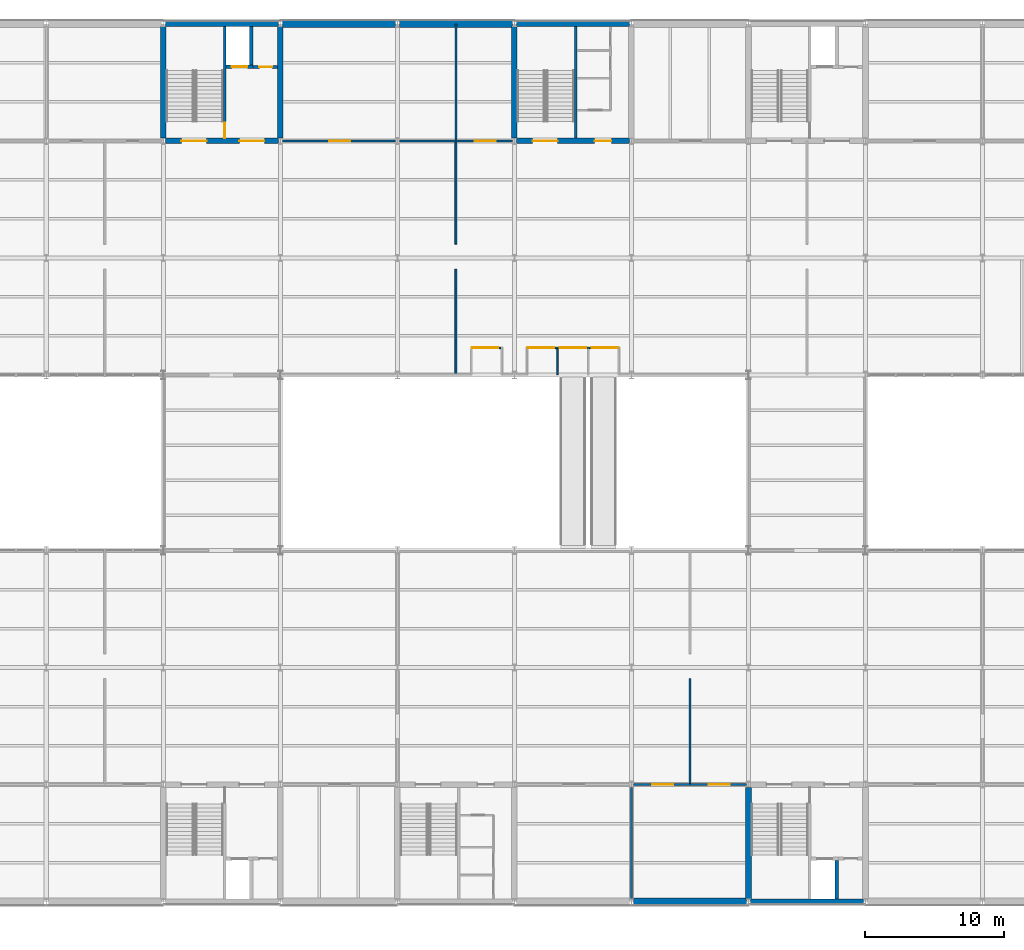
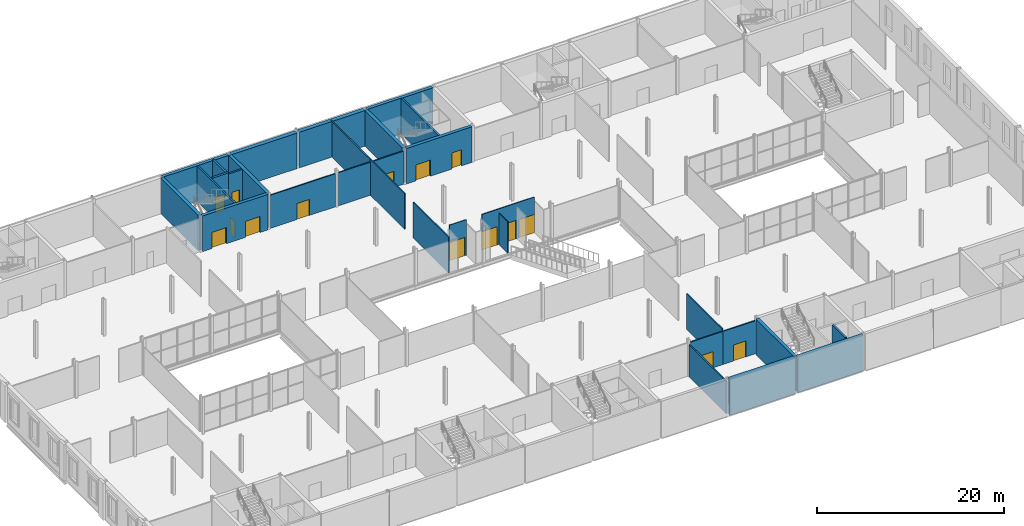
# One storey, part 31 of 52: 31 walls, 15 doors, 15 openings.
"""IFC4 building model written with IfcOpenShell, lengths in metres."""

from ifc_helpers import new_model, si_unit, direction, frame, frame_2d, origin, place, context, subcontext, project, spatial, rectangle, extrude, material, layer, layer_set, type_object, element, fill, save


model = new_model("IFC4")

# Units and contexts
model_context = context("Model", 3, precision=1e-05, world=origin(), true_north=direction((0.0, 1.0)))
body_context = subcontext(model_context, "Body", "Model", "MODEL_VIEW")
ifc_project = project(units=[si_unit("LENGTHUNIT", "METRE"), si_unit("AREAUNIT", "SQUARE_METRE"), si_unit("VOLUMEUNIT", "CUBIC_METRE"), si_unit("PLANEANGLEUNIT", "RADIAN"), si_unit("MASSUNIT", "GRAM", prefix="KILO")], contexts=[model_context])

# Site, building, storey
site_placement = place(None, origin())
site = spatial("IfcSite", under=ifc_project, at=site_placement, CompositionType="ELEMENT")
building_placement = place(site_placement, origin())
building = spatial("IfcBuilding", under=site, at=building_placement, Name="Galleria Vessillo Department Store", CompositionType="ELEMENT")
storey_placement = place(building_placement, frame((0.0, 0.0, 16.199951171875)))
storey = spatial("IfcBuildingStorey", under=building, at=storey_placement, Name="L03", CompositionType="ELEMENT", Elevation=16.199951171875)

# Wall
ifc_material_1 = material(Name="Fire-resisting glass in steel frame S355 J2", Category="steel")
ifc_layer_1 = layer(ifc_material_1, 0.10009765625)
ifc_layer_set_1 = layer_set([ifc_layer_1], Name="Fire-resisting glass in steel frame S355 J2")
wall_type_1 = type_object("IfcWallType", Name="Fire-resisting glazed screen EI 120-Sa 100 mm", PredefinedType="PARTITIONING", material=ifc_layer_set_1)
wall_1_placement = place(storey_placement, frame((61.900146484375, 37.800048828125, 0.0), z_axis=(0.0, 0.0, 1.0), x_axis=(0.0, 1.0, 0.0)))
element("IfcWall", 1, at=wall_1_placement, inside=storey, type_object=wall_type_1, Name="Fire screen, landing alcove side L03", PredefinedType="PARTITIONING", context=body_context, shape_type="SweptSolid", body=[
    extrude(rectangle(XDim=1.89990234375, YDim=0.10009765625, at=frame_2d((0.949951171875, 0.0))), origin(), (0.0, 0.0, 1.0), 4.110107421875),
])

# Wall, opening, door
wall_2_placement = place(storey_placement, frame((55.750244140625, 39.75, 0.0), z_axis=(0.0, 0.0, 1.0), x_axis=(1.0, 0.0, 0.0)))
wall_2 = element("IfcWall", 2, at=wall_2_placement, inside=storey, type_object=wall_type_1, Name="Fire screen, landing alcove back wall L03", PredefinedType="PARTITIONING", context=body_context, shape_type="SweptSolid", body=[
    extrude(rectangle(XDim=2.099609375, YDim=0.10009765625, at=frame_2d((1.0498046875, 0.0))), origin(), (0.0, 0.0, 1.0), 4.650146484375),
])
opening_1_placement = place(wall_2_placement, origin())
opening_1 = element("IfcOpeningElement", 3, at=opening_1_placement, cuts=wall_2, Name="Opening D5359", PredefinedType="OPENING", context=body_context, shape_type="SweptSolid", body=[
    extrude(rectangle(XDim=1.90990234375, YDim=2.39990234375, at=frame_2d((0.945068359375, 1.199951171875))), frame((0.0, 0.06005859375, 0.0), z_axis=(0.0, -1.0, 0.0), x_axis=(1.0, 0.0, 0.0)), (0.0, 0.0, 1.0), 0.1201171875),
])
ifc_material_2 = material(Name="Fire-resisting glazed door leaf in steel frame S355 J2", Category="steel")
door_type_1 = type_object("IfcDoorType", Name="Fire sliding door EI2 120-Sa 1900 x 2400 mm", OperationType="DOUBLE_DOOR_SLIDING", PredefinedType="DOOR", material=ifc_material_2)
door_1_placement = place(opening_1_placement, origin())
door_1 = element("IfcDoor", 4, at=door_1_placement, inside=storey, type_object=door_type_1, Name="Fire sliding door, escalator landing L03-01", OperationType="DOUBLE_DOOR_SLIDING", OverallHeight=2.39990234375, OverallWidth=1.89990234375, PredefinedType="DOOR", context=body_context, shape_type="SweptSolid", body=[
    extrude(rectangle(XDim=1.89990234375, YDim=2.39990234375, at=frame_2d((0.949951171875, 1.199951171875))), frame((0.0, 0.02490234375, 0.0), z_axis=(0.0, -1.0, 0.0), x_axis=(1.0, 0.0, 0.0)), (0.0, 0.0, 1.0), 0.050048828125),
])
fill(opening_1, door_1)

# Wall, openings, doors
wall_3_placement = place(storey_placement, frame((59.750244140625, 39.75, 0.0), z_axis=(0.0, 0.0, 1.0), x_axis=(1.0, 0.0, 0.0)))
wall_3 = element("IfcWall", 5, at=wall_3_placement, inside=storey, type_object=wall_type_1, Name="Fire screen, landing alcove back wall L03", PredefinedType="PARTITIONING", context=body_context, shape_type="SweptSolid", body=[
    extrude(rectangle(XDim=6.49951171875, YDim=0.10009765625, at=frame_2d((3.249755859375, 0.0))), origin(), (0.0, 0.0, 1.0), 4.650146484375),
])
opening_2_placement = place(wall_3_placement, origin())
opening_2 = element("IfcOpeningElement", 6, at=opening_2_placement, cuts=wall_3, Name="Opening D5360", PredefinedType="OPENING", context=body_context, shape_type="SweptSolid", body=[
    extrude(rectangle(XDim=1.90990234375, YDim=2.39990234375, at=frame_2d((0.945068359375, 1.199951171875))), frame((0.0, 0.06005859375, 0.0), z_axis=(0.0, -1.0, 0.0), x_axis=(1.0, 0.0, 0.0)), (0.0, 0.0, 1.0), 0.1201171875),
])
opening_3_placement = place(wall_3_placement, frame((2.2998046875, 0.0, 0.0)))
opening_3 = element("IfcOpeningElement", 7, at=opening_3_placement, cuts=wall_3, Name="Opening D5361", PredefinedType="OPENING", context=body_context, shape_type="SweptSolid", body=[
    extrude(rectangle(XDim=1.89990234375, YDim=2.39990234375, at=frame_2d((0.949951171875, 1.199951171875))), frame((0.0, 0.06005859375, 0.0), z_axis=(0.0, -1.0, 0.0), x_axis=(1.0, 0.0, 0.0)), (0.0, 0.0, 1.0), 0.1201171875),
])
opening_4_placement = place(wall_3_placement, frame((4.599609375, 0.0, 0.0)))
opening_4 = element("IfcOpeningElement", 8, at=opening_4_placement, cuts=wall_3, Name="Opening D5362", PredefinedType="OPENING", context=body_context, shape_type="SweptSolid", body=[
    extrude(rectangle(XDim=1.90990234375, YDim=2.39990234375, at=frame_2d((0.954833984375, 1.199951171875))), frame((0.0, 0.06005859375, 0.0), z_axis=(0.0, -1.0, 0.0), x_axis=(1.0, 0.0, 0.0)), (0.0, 0.0, 1.0), 0.1201171875),
])
door_2_placement = place(opening_2_placement, origin())
door_2 = element("IfcDoor", 9, at=door_2_placement, inside=storey, type_object=door_type_1, Name="Fire sliding door, escalator landing L03-02", OperationType="DOUBLE_DOOR_SLIDING", OverallHeight=2.39990234375, OverallWidth=1.89990234375, PredefinedType="DOOR", context=body_context, shape_type="SweptSolid", body=[
    extrude(rectangle(XDim=1.89990234375, YDim=2.39990234375, at=frame_2d((0.949951171875, 1.199951171875))), frame((0.0, 0.02490234375, 0.0), z_axis=(0.0, -1.0, 0.0), x_axis=(1.0, 0.0, 0.0)), (0.0, 0.0, 1.0), 0.050048828125),
])
fill(opening_2, door_2)
door_3_placement = place(opening_3_placement, origin())
door_3 = element("IfcDoor", 10, at=door_3_placement, inside=storey, type_object=door_type_1, Name="Fire sliding door, escalator landing L03-03", OperationType="DOUBLE_DOOR_SLIDING", OverallHeight=2.39990234375, OverallWidth=1.89990234375, PredefinedType="DOOR", context=body_context, shape_type="SweptSolid", body=[
    extrude(rectangle(XDim=1.89990234375, YDim=2.39990234375, at=frame_2d((0.949951171875, 1.199951171875))), frame((0.0, 0.02490234375, 0.0), z_axis=(0.0, -1.0, 0.0), x_axis=(1.0, 0.0, 0.0)), (0.0, 0.0, 1.0), 0.050048828125),
])
fill(opening_3, door_3)
door_4_placement = place(opening_4_placement, origin())
door_4 = element("IfcDoor", 11, at=door_4_placement, inside=storey, type_object=door_type_1, Name="Fire sliding door, escalator landing L03-04", OperationType="DOUBLE_DOOR_SLIDING", OverallHeight=2.39990234375, OverallWidth=1.89990234375, PredefinedType="DOOR", context=body_context, shape_type="SweptSolid", body=[
    extrude(rectangle(XDim=1.89990234375, YDim=2.39990234375, at=frame_2d((0.949951171875, 1.199951171875))), frame((0.0, 0.02490234375, 0.0), z_axis=(0.0, -1.0, 0.0), x_axis=(1.0, 0.0, 0.0)), (0.0, 0.0, 1.0), 0.050048828125),
])
fill(opening_4, door_4)

# Wall, opening, door
ifc_material_3 = material(Name="Solid clay block masonry", Category="masonry")
ifc_layer_2 = layer(ifc_material_3, 0.25)
ifc_layer_set_2 = layer_set([ifc_layer_2], Name="Solid clay block masonry")
wall_type_2 = type_object("IfcWallType", Name="Lift shaft wall 250 mm", PredefinedType="SOLIDWALL", material=ifc_layer_set_2)
wall_4_placement = place(storey_placement, frame((38.10009765625, 59.925048828125, 0.0), z_axis=(0.0, 0.0, 1.0), x_axis=(1.0, 0.0, 0.0)))
wall_4 = element("IfcWall", 12, at=wall_4_placement, inside=storey, type_object=wall_type_2, Name="Lift shaft wall LP4 landing side L03", PredefinedType="SOLIDWALL", context=body_context, shape_type="SweptSolid", body=[
    extrude(rectangle(XDim=1.949951171875, YDim=0.25, at=frame_2d((0.97509765625, 0.0))), origin(), (0.0, 0.0, 1.0), 4.800048828125),
])
opening_5_placement = place(wall_4_placement, frame((0.4248046875, 0.0, 0.0)))
opening_5 = element("IfcOpeningElement", 13, at=opening_5_placement, cuts=wall_4, Name="Opening LD030", PredefinedType="OPENING", context=body_context, shape_type="SweptSolid", body=[
    extrude(rectangle(XDim=1.10009765625, YDim=2.10009765625, at=frame_2d((0.550048828125, 1.050048828125))), frame((0.0, 0.135009765625, 0.0), z_axis=(0.0, -1.0, 0.0), x_axis=(1.0, 0.0, 0.0)), (0.0, 0.0, 1.0), 0.27001953125),
])
ifc_material_4 = material(Name="Stainless steel lift door panel", Category="steel")
door_type_2 = type_object("IfcDoorType", Name="Lift landing door LD110 sliding 1100 x 2100", OperationType="SLIDING_TO_LEFT", PredefinedType="DOOR", material=ifc_material_4)
door_5_placement = place(opening_5_placement, frame((1.10009765625, 0.0, 0.0), z_axis=(0.0, 0.0, 1.0), x_axis=(-1.0, 0.0, 0.0)))
door_5 = element("IfcDoor", 14, at=door_5_placement, inside=storey, type_object=door_type_2, Name="Lift landing door LP4 L03", OperationType="SLIDING_TO_RIGHT", OverallHeight=2.10009765625, OverallWidth=1.10009765625, PredefinedType="DOOR", context=body_context, shape_type="SweptSolid", body=[
    extrude(rectangle(XDim=1.10009765625, YDim=2.10009765625, at=frame_2d((0.550048828125, 1.050048828125))), frame((0.0, 0.02490234375, 0.0), z_axis=(0.0, -1.0, 0.0), x_axis=(1.0, 0.0, 0.0)), (0.0, 0.0, 1.0), 0.050048828125),
])
fill(opening_5, door_5)

# Walls
for number, where, z_axis, x_axis, name in (
    (15, (39.925048828125, 62.800048828125, 0.0), (0.0, 0.0, 1.0), (0.0, -1.0, 0.0), "Lift shaft wall LP4 L03"),
    (16, (81.925048828125, 0.199951171875, 0.0), (0.0, 0.0, 1.0), (0.0, 1.0, 0.0), "Lift shaft wall LP5 L03"),
):
    element("IfcWall", number, at=place(storey_placement, frame(where, z_axis=z_axis, x_axis=x_axis)), inside=storey, type_object=wall_type_2, Name=name, PredefinedType="SOLIDWALL", context=body_context, shape_type="SweptSolid", body=[
        extrude(rectangle(XDim=2.75, YDim=0.25, at=frame_2d((1.375, 0.0))), origin(), (0.0, 0.0, 1.0), 4.800048828125),
    ])

# Wall, openings, doors
ifc_material_5 = material(Name="Concrete C32/40 reinforced", Category="concrete")
ifc_layer_3 = layer(ifc_material_5, 0.39990234375)
ifc_layer_set_3 = layer_set([ifc_layer_3], Name="Concrete C32/40 reinforced")
wall_type_3 = type_object("IfcWallType", Name="Reinforced concrete core wall 400 mm", PredefinedType="SHEAR", material=ifc_layer_set_3)
wall_5_placement = place(storey_placement, frame((33.75, 54.60009765625, 0.0), z_axis=(0.0, 0.0, 1.0), x_axis=(1.0, 0.0, 0.0)))
wall_5 = element("IfcWall", 17, at=wall_5_placement, inside=storey, type_object=wall_type_3, Name="S-CW-PC-NM-INTERIOR-L03", PredefinedType="SHEAR", context=body_context, shape_type="SweptSolid", body=[
    extrude(rectangle(XDim=8.10009765625, YDim=0.39990234375, at=frame_2d((4.050048828125, 0.0))), origin(), (0.0, 0.0, 1.0), 4.650146484375),
])
opening_6_placement = place(wall_5_placement, frame((1.14990234375, 0.0, 0.0)))
opening_6 = element("IfcOpeningElement", 18, at=opening_6_placement, cuts=wall_5, Name="Opening D5117", PredefinedType="OPENING", context=body_context, shape_type="SweptSolid", body=[
    extrude(rectangle(XDim=1.800048828125, YDim=2.10009765625, at=frame_2d((0.89990234375, 1.050048828125))), frame((0.0, 0.2099609375, 0.0), z_axis=(0.0, -1.0, 0.0), x_axis=(1.0, 0.0, 0.0)), (0.0, 0.0, 1.0), 0.419921875),
])
opening_7_placement = place(wall_5_placement, frame((5.2998046875, 0.0, 0.0)))
opening_7 = element("IfcOpeningElement", 19, at=opening_7_placement, cuts=wall_5, Name="Opening D5118", PredefinedType="OPENING", context=body_context, shape_type="SweptSolid", body=[
    extrude(rectangle(XDim=1.800048828125, YDim=2.10009765625, at=frame_2d((0.89990234375, 1.050048828125))), frame((0.0, 0.2099609375, 0.0), z_axis=(0.0, -1.0, 0.0), x_axis=(1.0, 0.0, 0.0)), (0.0, 0.0, 1.0), 0.419921875),
])
ifc_material_6 = material(Name="Fire-rated steel door leaf", Category="steel")
door_type_3 = type_object("IfcDoorType", Name="Door D180F double leaf 1800 x 2100", OperationType="DOUBLE_DOOR_SINGLE_SWING", PredefinedType="DOOR", material=ifc_material_6)
door_6_placement = place(opening_6_placement, origin())
door_6 = element("IfcDoor", 20, at=door_6_placement, inside=storey, type_object=door_type_3, Name="Lobby door PC-NM-ST-FLOOR L03", OperationType="DOUBLE_DOOR_SINGLE_SWING", OverallHeight=2.10009765625, OverallWidth=1.800048828125, PredefinedType="DOOR", context=body_context, shape_type="SweptSolid", body=[
    extrude(rectangle(XDim=1.800048828125, YDim=2.10009765625, at=frame_2d((0.89990234375, 1.050048828125))), frame((0.0, 0.02490234375, 0.0), z_axis=(0.0, -1.0, 0.0), x_axis=(1.0, 0.0, 0.0)), (0.0, 0.0, 1.0), 0.050048828125),
])
fill(opening_6, door_6)
door_7_placement = place(opening_7_placement, origin())
door_7 = element("IfcDoor", 21, at=door_7_placement, inside=storey, type_object=door_type_3, Name="Lobby door PC-NM-LOBBY-FLOOR L03", OperationType="DOUBLE_DOOR_SINGLE_SWING", OverallHeight=2.10009765625, OverallWidth=1.800048828125, PredefinedType="DOOR", context=body_context, shape_type="SweptSolid", body=[
    extrude(rectangle(XDim=1.800048828125, YDim=2.10009765625, at=frame_2d((0.89990234375, 1.050048828125))), frame((0.0, 0.02490234375, 0.0), z_axis=(0.0, -1.0, 0.0), x_axis=(1.0, 0.0, 0.0)), (0.0, 0.0, 1.0), 0.050048828125),
])
fill(opening_7, door_7)

# Walls
for number, where, z_axis, x_axis, name in (
    (22, (33.60009765625, 54.800048828125, 0.0), (0.0, 0.0, 1.0), (0.0, 1.0, 0.0), "S-CW-PC-NM-WEST-L03"),
    (23, (42.0, 54.800048828125, 0.0), (0.0, 0.0, 1.0), (0.0, 1.0, 0.0), "S-CW-PC-NM-EAST-L03"),
    (24, (75.60009765625, 0.199951171875, 0.0), (0.0, 0.0, 1.0), (0.0, 1.0, 0.0), "S-CW-PC-SE-WEST-L03"),
):
    element("IfcWall", number, at=place(storey_placement, frame(where, z_axis=z_axis, x_axis=x_axis)), inside=storey, type_object=wall_type_3, Name=name, PredefinedType="SHEAR", context=body_context, shape_type="SweptSolid", body=[
        extrude(rectangle(XDim=8.0, YDim=0.39990234375, at=frame_2d((4.0, 0.0))), origin(), (0.0, 0.0, 1.0), 4.650146484375),
    ])

# Wall, openings, doors
wall_6_placement = place(storey_placement, frame((58.949951171875, 54.60009765625, 0.0), z_axis=(0.0, 0.0, 1.0), x_axis=(1.0, 0.0, 0.0)))
wall_6 = element("IfcWall", 25, at=wall_6_placement, inside=storey, type_object=wall_type_3, Name="S-CW-PC-NC-INTERIOR-L03", PredefinedType="SHEAR", context=body_context, shape_type="SweptSolid", body=[
    extrude(rectangle(XDim=8.10009765625, YDim=0.39990234375, at=frame_2d((4.050048828125, 0.0))), origin(), (0.0, 0.0, 1.0), 4.650146484375),
])
opening_8_placement = place(wall_6_placement, frame((1.14990234375, 0.0, 0.0)))
opening_8 = element("IfcOpeningElement", 26, at=opening_8_placement, cuts=wall_6, Name="Opening D5213", PredefinedType="OPENING", context=body_context, shape_type="SweptSolid", body=[
    extrude(rectangle(XDim=1.800048828125, YDim=2.10009765625, at=frame_2d((0.89990234375, 1.050048828125))), frame((0.0, 0.2099609375, 0.0), z_axis=(0.0, -1.0, 0.0), x_axis=(1.0, 0.0, 0.0)), (0.0, 0.0, 1.0), 0.419921875),
])
opening_9_placement = place(wall_6_placement, frame((5.599853515625, 0.0, 0.0)))
opening_9 = element("IfcOpeningElement", 27, at=opening_9_placement, cuts=wall_6, Name="Opening D5214", PredefinedType="OPENING", context=body_context, shape_type="SweptSolid", body=[
    extrude(rectangle(XDim=1.199951171875, YDim=2.10009765625, at=frame_2d((0.60009765625, 1.050048828125))), frame((0.0, 0.2099609375, 0.0), z_axis=(0.0, -1.0, 0.0), x_axis=(1.0, 0.0, 0.0)), (0.0, 0.0, 1.0), 0.419921875),
])
ifc_material_7 = material(Name="Fire-rated steel door leaf", Category="steel")
door_type_4 = type_object("IfcDoorType", Name="Door D120F fire door 1200 x 2100", OperationType="SINGLE_SWING_LEFT", PredefinedType="DOOR", material=ifc_material_7)
door_8_placement = place(opening_9_placement, origin())
door_8 = element("IfcDoor", 28, at=door_8_placement, inside=storey, type_object=door_type_4, Name="Lobby door PC-NC-WC-FLOOR L03", OperationType="SINGLE_SWING_LEFT", OverallHeight=2.10009765625, OverallWidth=1.199951171875, PredefinedType="DOOR", context=body_context, shape_type="SweptSolid", body=[
    extrude(rectangle(XDim=1.199951171875, YDim=2.10009765625, at=frame_2d((0.60009765625, 1.050048828125))), frame((0.0, 0.02490234375, 0.0), z_axis=(0.0, -1.0, 0.0), x_axis=(1.0, 0.0, 0.0)), (0.0, 0.0, 1.0), 0.050048828125),
])
fill(opening_9, door_8)
door_9_placement = place(opening_8_placement, origin())
door_9 = element("IfcDoor", 29, at=door_9_placement, inside=storey, type_object=door_type_3, Name="Lobby door PC-NC-ST-FLOOR L03", OperationType="DOUBLE_DOOR_SINGLE_SWING", OverallHeight=2.10009765625, OverallWidth=1.800048828125, PredefinedType="DOOR", context=body_context, shape_type="SweptSolid", body=[
    extrude(rectangle(XDim=1.800048828125, YDim=2.10009765625, at=frame_2d((0.89990234375, 1.050048828125))), frame((0.0, 0.02490234375, 0.0), z_axis=(0.0, -1.0, 0.0), x_axis=(1.0, 0.0, 0.0)), (0.0, 0.0, 1.0), 0.050048828125),
])
fill(opening_8, door_9)

# Walls
wall_7_placement = place(storey_placement, frame((58.800048828125, 54.800048828125, 0.0), z_axis=(0.0, 0.0, 1.0), x_axis=(0.0, 1.0, 0.0)))
element("IfcWall", 30, at=wall_7_placement, inside=storey, type_object=wall_type_3, Name="S-CW-PC-NC-WEST-L03", PredefinedType="SHEAR", context=body_context, shape_type="SweptSolid", body=[
    extrude(rectangle(XDim=8.0, YDim=0.39990234375, at=frame_2d((4.0, 0.0))), origin(), (0.0, 0.0, 1.0), 4.650146484375),
])
ifc_material_8 = material(Name="Concrete C32/40 reinforced", Category="concrete")
ifc_layer_4 = layer(ifc_material_8, 0.39990234375)
ifc_layer_set_4 = layer_set([ifc_layer_4], Name="Concrete C32/40 reinforced")
wall_type_4 = type_object("IfcWallType", Name="Reinforced concrete core wall 400 mm, external", PredefinedType="SHEAR", material=ifc_layer_set_4)
for number, where, z_axis, x_axis, name in (
    (31, (33.75, 63.0, 0.0), (0.0, 0.0, 1.0), (1.0, 0.0, 0.0), "S-CW-PC-NM-PARTY-L03"),
    (32, (75.75, 0.0, 0.0), (0.0, 0.0, 1.0), (1.0, 0.0, 0.0), "S-CW-PC-SE-PARTY-L03"),
    (33, (58.949951171875, 63.0, 0.0), (0.0, 0.0, 1.0), (1.0, 0.0, 0.0), "S-CW-PC-NC-PARTY-L03"),
):
    element("IfcWall", number, at=place(storey_placement, frame(where, z_axis=z_axis, x_axis=x_axis)), inside=storey, type_object=wall_type_4, Name=name, PredefinedType="SHEAR", context=body_context, shape_type="SweptSolid", body=[
        extrude(rectangle(XDim=8.10009765625, YDim=0.39990234375, at=frame_2d((4.050048828125, 0.0))), origin(), (0.0, 0.0, 1.0), 4.650146484375),
    ])
ifc_material_9 = material(Name="Concrete C32/40 reinforced", Category="concrete")
ifc_layer_5 = layer(ifc_material_9, 0.5)
ifc_layer_set_5 = layer_set([ifc_layer_5], Name="Concrete C32/40 reinforced")
wall_type_5 = type_object("IfcWallType", Name="Reinforced concrete party wall 500 mm", PredefinedType="SHEAR", material=ifc_layer_set_5)
wall_8_placement = place(storey_placement, frame((67.349853515625, 0.0, 0.0), z_axis=(0.0, 0.0, 1.0), x_axis=(1.0, 0.0, 0.0)))
element("IfcWall", 34, at=wall_8_placement, inside=storey, type_object=wall_type_5, Name="S-PS-L03-06", PredefinedType="SHEAR", context=body_context, shape_type="SweptSolid", body=[
    extrude(rectangle(XDim=8.100341796875, YDim=0.5, at=frame_2d((4.05029296875, 0.0))), origin(), (0.0, 0.0, 1.0), 4.650146484375),
])
wall_9_placement = place(storey_placement, frame((42.14990234375, 63.0, 0.0), z_axis=(0.0, 0.0, 1.0), x_axis=(1.0, 0.0, 0.0)))
element("IfcWall", 35, at=wall_9_placement, inside=storey, type_object=wall_type_5, Name="S-PN-L03-04", PredefinedType="SHEAR", context=body_context, shape_type="SweptSolid", body=[
    extrude(rectangle(XDim=8.10009765625, YDim=0.5, at=frame_2d((4.050048828125, 0.0))), origin(), (0.0, 0.0, 1.0), 4.650146484375),
])
wall_10_placement = place(storey_placement, frame((50.5498046875, 63.0, 0.0), z_axis=(0.0, 0.0, 1.0), x_axis=(1.0, 0.0, 0.0)))
element("IfcWall", 36, at=wall_10_placement, inside=storey, type_object=wall_type_5, Name="S-PN-L03-05", PredefinedType="SHEAR", context=body_context, shape_type="SweptSolid", body=[
    extrude(rectangle(XDim=8.100341796875, YDim=0.5, at=frame_2d((4.05029296875, 0.0))), origin(), (0.0, 0.0, 1.0), 4.650146484375),
])

# Wall, opening, door
ifc_material_10 = material(Name="Concrete C32/40 reinforced", Category="concrete")
ifc_layer_6 = layer(ifc_material_10, 0.199951171875)
ifc_layer_set_6 = layer_set([ifc_layer_6], Name="Concrete C32/40 reinforced")
wall_type_6 = type_object("IfcWallType", Name="Reinforced concrete stair enclosure wall 200 mm", PredefinedType="SHEAR", material=ifc_layer_set_6)
wall_11_placement = place(storey_placement, frame((38.0, 62.800048828125, 0.0), z_axis=(0.0, 0.0, 1.0), x_axis=(0.0, -1.0, 0.0)))
wall_11 = element("IfcWall", 37, at=wall_11_placement, inside=storey, type_object=wall_type_6, Name="Stair enclosure wall PC-NM L03", PredefinedType="SHEAR", context=body_context, shape_type="SweptSolid", body=[
    extrude(rectangle(XDim=8.0, YDim=0.199951171875, at=frame_2d((4.0, 0.0))), origin(), (0.0, 0.0, 1.0), 4.650146484375),
])
opening_10_placement = place(wall_11_placement, frame((6.89990234375, 0.0, 0.0)))
opening_10 = element("IfcOpeningElement", 38, at=opening_10_placement, cuts=wall_11, Name="Opening D5115", PredefinedType="OPENING", context=body_context, shape_type="SweptSolid", body=[
    extrude(rectangle(XDim=1.11009765625, YDim=2.10009765625, at=frame_2d((0.554931640625, 1.050048828125))), frame((0.0, 0.10986328125, 0.0), z_axis=(0.0, -1.0, 0.0), x_axis=(1.0, 0.0, 0.0)), (0.0, 0.0, 1.0), 0.219970703125),
])
ifc_material_11 = material(Name="Fire-rated steel door leaf", Category="steel")
door_type_5 = type_object("IfcDoorType", Name="Door D110F stair door 1100 x 2100", OperationType="SINGLE_SWING_LEFT", PredefinedType="DOOR", material=ifc_material_11)
door_10_placement = place(opening_10_placement, frame((1.10009765625, 0.0, 0.0), z_axis=(0.0, 0.0, 1.0), x_axis=(-1.0, 0.0, 0.0)))
door_10 = element("IfcDoor", 39, at=door_10_placement, inside=storey, type_object=door_type_5, Name="Stair door PC-NM-ST-LOBBY L03", OperationType="SINGLE_SWING_LEFT", OverallHeight=2.10009765625, OverallWidth=1.10009765625, PredefinedType="DOOR", context=body_context, shape_type="SweptSolid", body=[
    extrude(rectangle(XDim=1.10009765625, YDim=2.10009765625, at=frame_2d((0.550048828125, 1.050048828125))), frame((0.0, 0.02490234375, 0.0), z_axis=(0.0, -1.0, 0.0), x_axis=(1.0, 0.0, 0.0)), (0.0, 0.0, 1.0), 0.050048828125),
])
fill(opening_10, door_10)

# Wall
wall_12_placement = place(storey_placement, frame((63.199951171875, 62.800048828125, 0.0), z_axis=(0.0, 0.0, 1.0), x_axis=(0.0, -1.0, 0.0)))
element("IfcWall", 40, at=wall_12_placement, inside=storey, type_object=wall_type_6, Name="Stair enclosure wall PC-NC L03", PredefinedType="SHEAR", context=body_context, shape_type="SweptSolid", body=[
    extrude(rectangle(XDim=8.0, YDim=0.199951171875, at=frame_2d((4.0, 0.0))), origin(), (0.0, 0.0, 1.0), 4.650146484375),
])

# Wall, opening, door
ifc_material_12 = material(Name="Hollow clay block masonry", Category="masonry")
ifc_layer_7 = layer(ifc_material_12, 0.199951171875)
ifc_layer_set_7 = layer_set([ifc_layer_7], Name="Hollow clay block masonry")
wall_type_7 = type_object("IfcWallType", Name="Riser and service room wall 200 mm", PredefinedType="PARTITIONING", material=ifc_layer_set_7)
wall_13_placement = place(storey_placement, frame((40.050048828125, 59.900146484375, 0.0), z_axis=(0.0, 0.0, 1.0), x_axis=(1.0, 0.0, 0.0)))
wall_13 = element("IfcWall", 41, at=wall_13_placement, inside=storey, type_object=wall_type_7, Name="Riser wall PC-NM-RISER L03", PredefinedType="PARTITIONING", context=body_context, shape_type="SweptSolid", body=[
    extrude(rectangle(XDim=1.75, YDim=0.199951171875, at=frame_2d((0.875, 0.0))), origin(), (0.0, 0.0, 1.0), 4.650146484375),
])
opening_11_placement = place(wall_13_placement, frame((0.449951171875, 0.0, 0.0)))
opening_11 = element("IfcOpeningElement", 42, at=opening_11_placement, cuts=wall_13, Name="Opening D5116", PredefinedType="OPENING", context=body_context, shape_type="SweptSolid", body=[
    extrude(rectangle(XDim=0.89990234375, YDim=2.10009765625, at=frame_2d((0.449951171875, 1.050048828125))), frame((0.0, 0.10986328125, 0.0), z_axis=(0.0, -1.0, 0.0), x_axis=(1.0, 0.0, 0.0)), (0.0, 0.0, 1.0), 0.219970703125),
])
ifc_material_13 = material(Name="Fire-rated steel door leaf", Category="steel")
door_type_6 = type_object("IfcDoorType", Name="Door DR90 riser access 900 x 2100", OperationType="SINGLE_SWING_LEFT", PredefinedType="DOOR", material=ifc_material_13)
door_11_placement = place(opening_11_placement, origin())
door_11 = element("IfcDoor", 43, at=door_11_placement, inside=storey, type_object=door_type_6, Name="Riser door PC-NM-RISER-D L03", OperationType="SINGLE_SWING_RIGHT", OverallHeight=2.10009765625, OverallWidth=0.89990234375, PredefinedType="DOOR", context=body_context, shape_type="SweptSolid", body=[
    extrude(rectangle(XDim=0.89990234375, YDim=2.10009765625, at=frame_2d((0.449951171875, 1.050048828125))), frame((0.0, 0.02490234375, 0.0), z_axis=(0.0, -1.0, 0.0), x_axis=(1.0, 0.0, 0.0)), (0.0, 0.0, 1.0), 0.050048828125),
])
fill(opening_11, door_11)

# Walls
ifc_material_14 = material(Name="Gypsum board partition")
ifc_layer_8 = layer(ifc_material_14, 0.139892578125)
ifc_layer_set_8 = layer_set([ifc_layer_8], Name="Gypsum board partition")
wall_type_8 = type_object("IfcWallType", Name="Sales dividing wall 140 mm", PredefinedType="PARTITIONING", material=ifc_layer_set_8)
for number, where, z_axis, x_axis, name in (
    (44, (71.39990234375, 8.39990234375, 0.0), (0.0, 0.0, 1.0), (0.0, 1.0, 0.0), "Partition wall PT3 on L03 no. 049"),
    (45, (54.60009765625, 37.800048828125, 0.0), (0.0, 0.0, 1.0), (0.0, 1.0, 0.0), "Partition wall PT3 on L03 no. 066"),
):
    element("IfcWall", number, at=place(storey_placement, frame(where, z_axis=z_axis, x_axis=x_axis)), inside=storey, type_object=wall_type_8, Name=name, PredefinedType="PARTITIONING", context=body_context, shape_type="SweptSolid", body=[
        extrude(rectangle(XDim=7.60009765625, YDim=0.139892578125, at=frame_2d((3.800048828125, 0.0))), origin(), (0.0, 0.0, 1.0), 4.650146484375),
    ])
wall_14_placement = place(storey_placement, frame((54.60009765625, 47.199951171875, 0.0), z_axis=(0.0, 0.0, 1.0), x_axis=(0.0, 1.0, 0.0)))
element("IfcWall", 46, at=wall_14_placement, inside=storey, type_object=wall_type_8, Name="Partition wall PT3 on L03 no. 067", PredefinedType="PARTITIONING", context=body_context, shape_type="SweptSolid", body=[
    extrude(rectangle(XDim=7.400146484375, YDim=0.139892578125, at=frame_2d((3.7001953125, 0.0))), origin(), (0.0, 0.0, 1.0), 4.650146484375),
])
ifc_material_15 = material(Name="Concrete blockwork", Category="masonry")
ifc_layer_9 = layer(ifc_material_15, 0.14990234375)
ifc_layer_set_9 = layer_set([ifc_layer_9], Name="Concrete blockwork")
wall_type_9 = type_object("IfcWallType", Name="Stockroom blockwork wall 150 mm", PredefinedType="SOLIDWALL", material=ifc_layer_set_9)
wall_15_placement = place(storey_placement, frame((67.199951171875, 0.199951171875, 0.0), z_axis=(0.0, 0.0, 1.0), x_axis=(0.0, 1.0, 0.0)))
element("IfcWall", 47, at=wall_15_placement, inside=storey, type_object=wall_type_9, Name="Partition wall PT4 on L03 no. 017", PredefinedType="SOLIDWALL", context=body_context, shape_type="SweptSolid", body=[
    extrude(rectangle(XDim=8.0, YDim=0.14990234375, at=frame_2d((4.0, 0.0))), origin(), (0.0, 0.0, 1.0), 4.210205078125),
])

# Wall, opening, door
wall_16_placement = place(storey_placement, frame((67.349853515625, 8.39990234375, 0.0), z_axis=(0.0, 0.0, 1.0), x_axis=(1.0, 0.0, 0.0)))
wall_16 = element("IfcWall", 48, at=wall_16_placement, inside=storey, type_object=wall_type_9, Name="Partition wall PT4 on L03 no. 019", PredefinedType="SOLIDWALL", context=body_context, shape_type="SweptSolid", body=[
    extrude(rectangle(XDim=4.050048828125, YDim=0.14990234375, at=frame_2d((2.02490234375, 0.0))), origin(), (0.0, 0.0, 1.0), 4.320068359375),
])
opening_12_placement = place(wall_16_placement, frame((1.35009765625, 0.0, 0.0)))
opening_12 = element("IfcOpeningElement", 49, at=opening_12_placement, cuts=wall_16, Name="Opening D2511", PredefinedType="OPENING", context=body_context, shape_type="SweptSolid", body=[
    extrude(rectangle(XDim=1.5, YDim=2.10009765625, at=frame_2d((0.75, 1.050048828125))), frame((0.0, 0.0849609375, 0.0), z_axis=(0.0, -1.0, 0.0), x_axis=(1.0, 0.0, 0.0)), (0.0, 0.0, 1.0), 0.169921875),
])
ifc_material_16 = material(Name="Steel fire door leaf", Category="steel")
door_type_7 = type_object("IfcDoorType", Name="Stockroom fire door 1500 double leaf", OperationType="DOUBLE_DOOR_SINGLE_SWING", PredefinedType="DOOR", material=ifc_material_16)
door_12_placement = place(opening_12_placement, frame((1.5, 0.0, 0.0), z_axis=(0.0, 0.0, 1.0), x_axis=(-1.0, 0.0, 0.0)))
door_12 = element("IfcDoor", 50, at=door_12_placement, inside=storey, type_object=door_type_7, Name="Door D2511", OperationType="DOUBLE_DOOR_SINGLE_SWING", OverallHeight=2.10009765625, OverallWidth=1.5, PredefinedType="DOOR", context=body_context, shape_type="SweptSolid", body=[
    extrude(rectangle(XDim=1.5, YDim=2.10009765625, at=frame_2d((0.75, 1.050048828125))), frame((0.0, 0.02490234375, 0.0), z_axis=(0.0, -1.0, 0.0), x_axis=(1.0, 0.0, 0.0)), (0.0, 0.0, 1.0), 0.050048828125),
])
fill(opening_12, door_12)

wall_17_placement = place(storey_placement, frame((71.39990234375, 8.39990234375, 0.0), z_axis=(0.0, 0.0, 1.0), x_axis=(1.0, 0.0, 0.0)))
wall_17 = element("IfcWall", 51, at=wall_17_placement, inside=storey, type_object=wall_type_9, Name="Partition wall PT4 on L03 no. 020", PredefinedType="SOLIDWALL", context=body_context, shape_type="SweptSolid", body=[
    extrude(rectangle(XDim=4.05029296875, YDim=0.14990234375, at=frame_2d((2.025146484375, 0.0))), origin(), (0.0, 0.0, 1.0), 4.320068359375),
])
opening_13_placement = place(wall_17_placement, frame((1.35009765625, 0.0, 0.0)))
opening_13 = element("IfcOpeningElement", 52, at=opening_13_placement, cuts=wall_17, Name="Opening D2512", PredefinedType="OPENING", context=body_context, shape_type="SweptSolid", body=[
    extrude(rectangle(XDim=1.5, YDim=2.10009765625, at=frame_2d((0.75, 1.050048828125))), frame((0.0, 0.0849609375, 0.0), z_axis=(0.0, -1.0, 0.0), x_axis=(1.0, 0.0, 0.0)), (0.0, 0.0, 1.0), 0.169921875),
])
door_13_placement = place(opening_13_placement, frame((1.5, 0.0, 0.0), z_axis=(0.0, 0.0, 1.0), x_axis=(-1.0, 0.0, 0.0)))
door_13 = element("IfcDoor", 53, at=door_13_placement, inside=storey, type_object=door_type_7, Name="Door D2512", OperationType="DOUBLE_DOOR_SINGLE_SWING", OverallHeight=2.10009765625, OverallWidth=1.5, PredefinedType="DOOR", context=body_context, shape_type="SweptSolid", body=[
    extrude(rectangle(XDim=1.5, YDim=2.10009765625, at=frame_2d((0.75, 1.050048828125))), frame((0.0, 0.02490234375, 0.0), z_axis=(0.0, -1.0, 0.0), x_axis=(1.0, 0.0, 0.0)), (0.0, 0.0, 1.0), 0.050048828125),
])
fill(opening_13, door_13)

# Wall
wall_18_placement = place(storey_placement, frame((54.60009765625, 54.60009765625, 0.0), z_axis=(0.0, 0.0, 1.0), x_axis=(0.0, 1.0, 0.0)))
element("IfcWall", 54, at=wall_18_placement, inside=storey, type_object=wall_type_9, Name="Partition wall PT4 on L03 no. 028", PredefinedType="SOLIDWALL", context=body_context, shape_type="SweptSolid", body=[
    extrude(rectangle(XDim=8.39990234375, YDim=0.14990234375, at=frame_2d((4.199951171875, 0.0))), origin(), (0.0, 0.0, 1.0), 4.650146484375),
])

# Wall, opening, door
wall_19_placement = place(storey_placement, frame((42.14990234375, 54.60009765625, 0.0), z_axis=(0.0, 0.0, 1.0), x_axis=(1.0, 0.0, 0.0)))
wall_19 = element("IfcWall", 55, at=wall_19_placement, inside=storey, type_object=wall_type_9, Name="Partition wall PT4 on L03 no. 029", PredefinedType="SOLIDWALL", context=body_context, shape_type="SweptSolid", body=[
    extrude(rectangle(XDim=8.10009765625, YDim=0.14990234375, at=frame_2d((4.050048828125, 0.0))), origin(), (0.0, 0.0, 1.0), 4.320068359375),
])
opening_14_placement = place(wall_19_placement, frame((3.35009765625, 0.0, 0.0)))
opening_14 = element("IfcOpeningElement", 56, at=opening_14_placement, cuts=wall_19, Name="Opening D2519", PredefinedType="OPENING", context=body_context, shape_type="SweptSolid", body=[
    extrude(rectangle(XDim=1.5, YDim=2.10009765625, at=frame_2d((0.75, 1.050048828125))), frame((0.0, 0.0849609375, 0.0), z_axis=(0.0, -1.0, 0.0), x_axis=(1.0, 0.0, 0.0)), (0.0, 0.0, 1.0), 0.169921875),
])
door_14_placement = place(opening_14_placement, origin())
door_14 = element("IfcDoor", 57, at=door_14_placement, inside=storey, type_object=door_type_7, Name="Door D2519", OperationType="DOUBLE_DOOR_SINGLE_SWING", OverallHeight=2.10009765625, OverallWidth=1.5, PredefinedType="DOOR", context=body_context, shape_type="SweptSolid", body=[
    extrude(rectangle(XDim=1.5, YDim=2.10009765625, at=frame_2d((0.75, 1.050048828125))), frame((0.0, 0.02490234375, 0.0), z_axis=(0.0, -1.0, 0.0), x_axis=(1.0, 0.0, 0.0)), (0.0, 0.0, 1.0), 0.050048828125),
])
fill(opening_14, door_14)

# Wall
wall_20_placement = place(storey_placement, frame((50.5498046875, 54.60009765625, 0.0), z_axis=(0.0, 0.0, 1.0), x_axis=(1.0, 0.0, 0.0)))
element("IfcWall", 58, at=wall_20_placement, inside=storey, type_object=wall_type_9, Name="Partition wall PT4 on L03 no. 030", PredefinedType="SOLIDWALL", context=body_context, shape_type="SweptSolid", body=[
    extrude(rectangle(XDim=4.05029296875, YDim=0.14990234375, at=frame_2d((2.025146484375, 0.0))), origin(), (0.0, 0.0, 1.0), 4.320068359375),
])

# Wall, opening, door
wall_21_placement = place(storey_placement, frame((54.60009765625, 54.60009765625, 0.0), z_axis=(0.0, 0.0, 1.0), x_axis=(1.0, 0.0, 0.0)))
wall_21 = element("IfcWall", 59, at=wall_21_placement, inside=storey, type_object=wall_type_9, Name="Partition wall PT4 on L03 no. 031", PredefinedType="SOLIDWALL", context=body_context, shape_type="SweptSolid", body=[
    extrude(rectangle(XDim=4.050048828125, YDim=0.14990234375, at=frame_2d((2.02490234375, 0.0))), origin(), (0.0, 0.0, 1.0), 4.320068359375),
])
opening_15_placement = place(wall_21_placement, frame((1.35009765625, 0.0, 0.0)))
opening_15 = element("IfcOpeningElement", 60, at=opening_15_placement, cuts=wall_21, Name="Opening D2520", PredefinedType="OPENING", context=body_context, shape_type="SweptSolid", body=[
    extrude(rectangle(XDim=1.5, YDim=2.10009765625, at=frame_2d((0.75, 1.050048828125))), frame((0.0, 0.0849609375, 0.0), z_axis=(0.0, -1.0, 0.0), x_axis=(1.0, 0.0, 0.0)), (0.0, 0.0, 1.0), 0.169921875),
])
door_15_placement = place(opening_15_placement, origin())
door_15 = element("IfcDoor", 61, at=door_15_placement, inside=storey, type_object=door_type_7, Name="Door D2520", OperationType="DOUBLE_DOOR_SINGLE_SWING", OverallHeight=2.10009765625, OverallWidth=1.5, PredefinedType="DOOR", context=body_context, shape_type="SweptSolid", body=[
    extrude(rectangle(XDim=1.5, YDim=2.10009765625, at=frame_2d((0.75, 1.050048828125))), frame((0.0, 0.02490234375, 0.0), z_axis=(0.0, -1.0, 0.0), x_axis=(1.0, 0.0, 0.0)), (0.0, 0.0, 1.0), 0.050048828125),
])
fill(opening_15, door_15)

save(model, "model.ifc")
